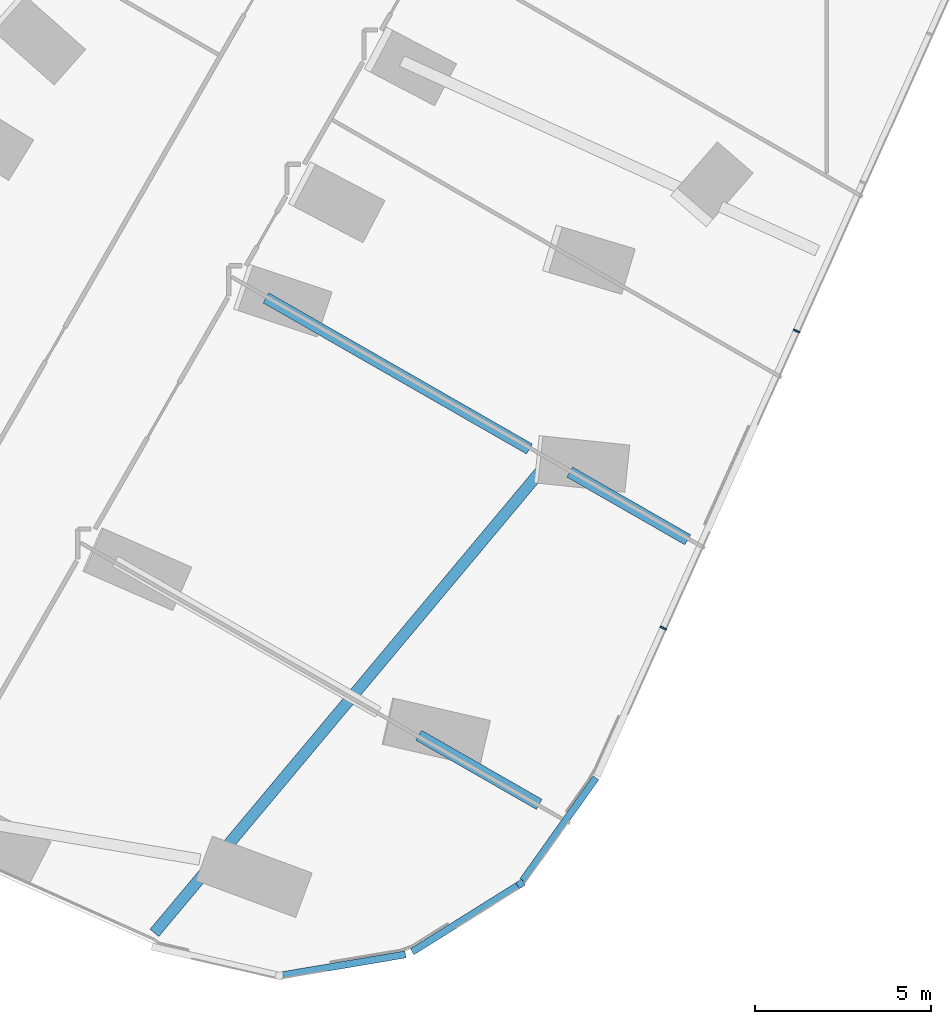
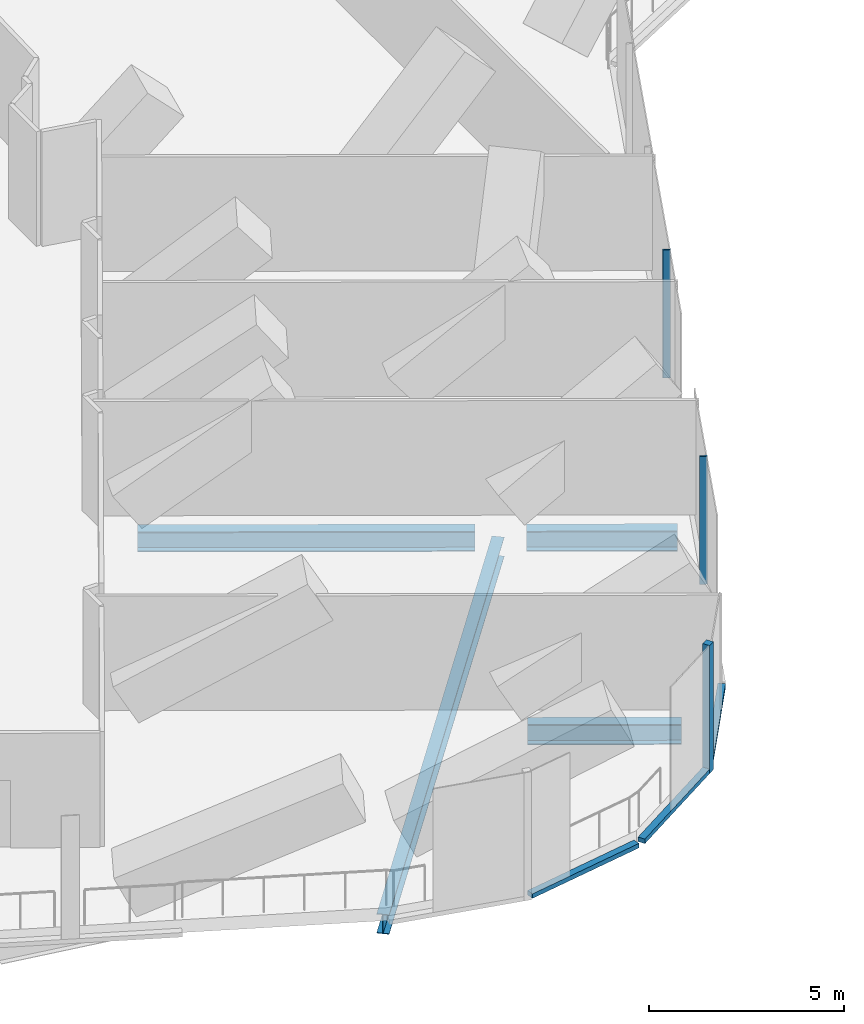
# One storey, part 5 of 37: 6 members, 4 beams, 4 elements without a shape of their own.
"""IFC4 building model written with IfcOpenShell, lengths in metres."""

from ifc_helpers import new_model, si_unit, direction, frame, origin, origin_2d, place, context, subcontext, project, spatial, rectangle, i_section, extrude, material, material_profile, profile_set, type_object, element, aggregate, save


model = new_model("IFC4")

# Units and contexts
model_context = context("Model", 3, precision=1e-05, world=origin(), true_north=direction((0.0, 1.0)))
body_context = subcontext(model_context, "Body", "Model", "MODEL_VIEW")
ifc_project = project(units=[si_unit("LENGTHUNIT", "METRE"), si_unit("AREAUNIT", "SQUARE_METRE"), si_unit("VOLUMEUNIT", "CUBIC_METRE"), si_unit("PLANEANGLEUNIT", "RADIAN"), si_unit("MASSUNIT", "GRAM", prefix="KILO")], contexts=[model_context])

# Site, building, storey
site_placement = place(None, origin())
site = spatial("IfcSite", under=ifc_project, at=site_placement, CompositionType="ELEMENT")
building_placement = place(site_placement, origin())
building = spatial("IfcBuilding", under=site, at=building_placement, Name="Orlundy Tower", CompositionType="ELEMENT")
storey_placement = place(building_placement, frame((0.0, 0.0, 119.699951171875)))
storey = spatial("IfcBuildingStorey", under=building, at=storey_placement, Name="L30", CompositionType="ELEMENT", Elevation=119.699951171875)

# Beams
ifc_material_1 = material(Name="Steel ASTM A992 Gr 50", Category="steel")
ifc_material_profile_1 = material_profile(ifc_material_1, i_section(OverallWidth=0.32373046875, OverallDepth=0.611083984375, WebThickness=0.0126953125, FlangeThickness=0.01904296875, at=origin_2d()), Name="W24X104")
ifc_profile_set_1 = profile_set([ifc_material_profile_1], Name="Steel ASTM A992 Gr 50")
beam_type_1 = type_object("IfcBeamType", Name="CANTILEVER GIRDER beam W24X104", PredefinedType="BEAM", material=ifc_profile_set_1)
beam_1_placement = place(storey_placement, frame((-15.126953125, -59.206787109375, -0.70556640625), z_axis=(0.641668375806, 0.766982200243, 0.0), x_axis=(-0.766982200243, 0.641668375806, 0.0)))
element("IfcBeam", 1, at=beam_1_placement, inside=storey, type_object=beam_type_1, Name="Cantilever girder C-B5-5 L30", PredefinedType="BEAM", context=body_context, shape_type="SweptSolid", body=[
    extrude(i_section(OverallWidth=0.32373046875, OverallDepth=0.611083984375, WebThickness=0.0126953125, FlangeThickness=0.01904296875, at=origin_2d()), origin(), (0.0, 0.0, 1.0), 17.123046875),
])
ifc_material_2 = material(Name="Steel ASTM A992 Gr 50", Category="steel")
ifc_material_profile_2 = material_profile(ifc_material_2, i_section(OverallWidth=0.3291015625, OverallDepth=0.635009765625, WebThickness=0.017822265625, FlangeThickness=0.031005859375, at=origin_2d()), Name="W24X162")
ifc_profile_set_2 = profile_set([ifc_material_profile_2], Name="Steel ASTM A992 Gr 50")
beam_type_2 = type_object("IfcBeamType", Name="CANTILEVER GIRDER beam W24X162", PredefinedType="BEAM", material=ifc_profile_set_2)
beam_2_placement = place(storey_placement, frame((0.046142578125, -48.0205078125, -0.717529296875), z_axis=(-0.867457426873, 0.497511419531, 0.0), x_axis=(-0.497511419531, -0.867457426873, 0.0)))
element("IfcBeam", 2, at=beam_2_placement, inside=storey, type_object=beam_type_2, Name="Cantilever girder C-B5-2 L30", PredefinedType="BEAM", context=body_context, shape_type="SweptSolid", body=[
    extrude(i_section(OverallWidth=0.3291015625, OverallDepth=0.635009765625, WebThickness=0.017822265625, FlangeThickness=0.031005859375, at=origin_2d()), origin(), (0.0, 0.0, 1.0), 3.867919921875),
])
beam_3_placement = place(storey_placement, frame((-4.45703125, -45.437744140625, -0.717529296875), z_axis=(-0.867434961957, 0.497550587152, 0.0), x_axis=(-0.497550587152, -0.867434961957, 0.0)))
element("IfcBeam", 3, at=beam_3_placement, inside=storey, type_object=beam_type_2, Name="Back-span girder C-B5-2 L30", PredefinedType="BEAM", context=body_context, shape_type="SweptSolid", body=[
    extrude(i_section(OverallWidth=0.3291015625, OverallDepth=0.635009765625, WebThickness=0.017822265625, FlangeThickness=0.031005859375, at=origin_2d()), origin(), (0.0, 0.0, 1.0), 8.637939453125),
])
beam_4_placement = place(storey_placement, frame((-4.180419921875, -55.548095703125, -0.717529296875), z_axis=(-0.867469970881, 0.497489547247, 0.0), x_axis=(-0.497489547247, -0.867469970881, 0.0)))
element("IfcBeam", 4, at=beam_4_placement, inside=storey, type_object=beam_type_2, Name="Cantilever girder C-B5-3 L30", PredefinedType="BEAM", context=body_context, shape_type="SweptSolid", body=[
    extrude(i_section(OverallWidth=0.3291015625, OverallDepth=0.635009765625, WebThickness=0.017822265625, FlangeThickness=0.031005859375, at=origin_2d()), origin(), (0.0, 0.0, 1.0), 3.949951171875),
])

# Curtain wall, member
ifc_material_3 = material(Name="Aluminium bronze anodised", Category="aluminium")
curtain_wall_type = type_object("IfcCurtainWallType", Name="CW5 wall", PredefinedType="NOTDEFINED", material=ifc_material_3)
curtain_wall_1_placement = place(storey_placement, origin())
curtain_wall_1 = element("IfcCurtainWall", 5, at=curtain_wall_1_placement, inside=storey, type_object=curtain_wall_type, Name="CW5 run 032", PredefinedType="NOTDEFINED")
ifc_material_4 = material(Name="Aluminium bronze anodised", Category="aluminium")
ifc_material_profile_3 = material_profile(ifc_material_4, rectangle(XDim=0.199951171875, YDim=0.199951171875, at=origin_2d()), Name="CW5 corner post 200x200")
ifc_profile_set_3 = profile_set([ifc_material_profile_3], Name="Aluminium bronze anodised")
member_type_1 = type_object("IfcMemberType", Name="CW5 corner post 200x200", PredefinedType="MULLION", material=ifc_profile_set_3)
member_1_placement = place(storey_placement, frame((-4.7099609375, -57.813232421875, -0.39990234375), z_axis=(0.0, 0.0, 1.0), x_axis=(0.531138080086, -0.847285276564, 0.0)))
member_1 = element("IfcMember", 6, at=member_1_placement, type_object=member_type_1, Name="CW5 mullion 57", PredefinedType="MULLION", context=body_context, shape_type="SweptSolid", body=[
    extrude(rectangle(XDim=0.199951171875, YDim=0.199951171875, at=origin_2d()), origin(), (0.0, 0.0, 1.0), 4.0),
])

# Curtain wall, members
curtain_wall_2_placement = place(storey_placement, origin())
curtain_wall_2 = element("IfcCurtainWall", 7, at=curtain_wall_2_placement, inside=storey, type_object=curtain_wall_type, Name="CW5 run 030", PredefinedType="NOTDEFINED")
ifc_material_5 = material(Name="Aluminium bronze anodised", Category="aluminium")
ifc_material_profile_4 = material_profile(ifc_material_5, rectangle(XDim=0.199951171875, YDim=0.050048828125, at=origin_2d()), Name="CW5 mullion 50x200")
ifc_profile_set_4 = profile_set([ifc_material_profile_4], Name="Aluminium bronze anodised")
member_type_2 = type_object("IfcMemberType", Name="CW5 mullion 50x200", PredefinedType="MULLION", material=ifc_profile_set_4)
member_2_placement = place(storey_placement, frame((3.146728515625, -42.08447265625, -0.39990234375), z_axis=(0.0, 0.0, 1.0), x_axis=(0.912352676112, -0.409405171428, 0.0)))
member_2 = element("IfcMember", 8, at=member_2_placement, type_object=member_type_2, Name="CW5 mullion 53", PredefinedType="MULLION", context=body_context, shape_type="SweptSolid", body=[
    extrude(rectangle(XDim=0.199951171875, YDim=0.050048828125, at=origin_2d()), origin(), (0.0, 0.0, 1.0), 4.0),
])
member_3_placement = place(storey_placement, frame((-0.64501953125, -50.5341796875, -0.39990234375), z_axis=(0.0, 0.0, 1.0), x_axis=(0.912352676112, -0.409405171428, 0.0)))
member_3 = element("IfcMember", 9, at=member_3_placement, type_object=member_type_2, Name="CW5 mullion 55", PredefinedType="MULLION", context=body_context, shape_type="SweptSolid", body=[
    extrude(rectangle(XDim=0.199951171875, YDim=0.050048828125, at=origin_2d()), origin(), (0.0, 0.0, 1.0), 4.0),
])
aggregate(curtain_wall_2, [member_2, member_3])

# Curtain wall, member
curtain_wall_3_placement = place(storey_placement, origin())
curtain_wall_3 = element("IfcCurtainWall", 10, at=curtain_wall_3_placement, inside=storey, type_object=curtain_wall_type, Name="CW5 run 031", PredefinedType="NOTDEFINED")
ifc_material_6 = material(Name="Aluminium bronze anodised", Category="aluminium")
ifc_material_profile_5 = material_profile(ifc_material_6, rectangle(XDim=0.199951171875, YDim=0.139892578125, at=origin_2d()), Name="CW5 transom 200x140")
ifc_profile_set_5 = profile_set([ifc_material_profile_5], Name="Aluminium bronze anodised")
member_type_3 = type_object("IfcMemberType", Name="CW5 transom 200x140", PredefinedType="USERDEFINED", material=ifc_profile_set_5)
member_4_placement = place(storey_placement, frame((-2.559326171875, -54.788330078125, -0.329833984375), z_axis=(-0.579467782839, -0.814995146397, 0.0), x_axis=(0.814995146397, -0.579467782839, 0.0)))
member_4 = element("IfcMember", 11, at=member_4_placement, type_object=member_type_3, Name="CW5 transom", ObjectType="TRANSOM", PredefinedType="USERDEFINED", context=body_context, shape_type="SweptSolid", body=[
    extrude(rectangle(XDim=0.199951171875, YDim=0.139892578125, at=origin_2d()), origin(), (0.0, 0.0, 1.0), 3.60302734375),
])
aggregate(curtain_wall_3, [member_4])

# Member
member_5_placement = place(storey_placement, frame((-4.794677734375, -57.8662109375, -0.329833984375), z_axis=(-0.847272722898, -0.531158105495, 0.0), x_axis=(0.531158105495, -0.847272722898, 0.0)))
member_5 = element("IfcMember", 12, at=member_5_placement, type_object=member_type_3, Name="CW5 transom", ObjectType="TRANSOM", PredefinedType="USERDEFINED", context=body_context, shape_type="SweptSolid", body=[
    extrude(rectangle(XDim=0.199951171875, YDim=0.139892578125, at=origin_2d()), origin(), (0.0, 0.0, 1.0), 3.538818359375),
])

aggregate(curtain_wall_1, [member_1, member_5])

# Curtain wall, member
curtain_wall_4_placement = place(storey_placement, origin())
curtain_wall_4 = element("IfcCurtainWall", 13, at=curtain_wall_4_placement, inside=storey, type_object=curtain_wall_type, Name="CW5 run 033", PredefinedType="NOTDEFINED")
member_6_placement = place(storey_placement, frame((-7.9833984375, -59.81982421875, -0.329833984375), z_axis=(-0.986041075027, -0.166502247309, 0.0), x_axis=(0.166502247309, -0.986041075027, 0.0)))
member_6 = element("IfcMember", 14, at=member_6_placement, type_object=member_type_3, Name="CW5 transom", ObjectType="TRANSOM", PredefinedType="USERDEFINED", context=body_context, shape_type="SweptSolid", body=[
    extrude(rectangle(XDim=0.199951171875, YDim=0.139892578125, at=origin_2d()), origin(), (0.0, 0.0, 1.0), 3.5380859375),
])
aggregate(curtain_wall_4, [member_6])

save(model, "model.ifc")
